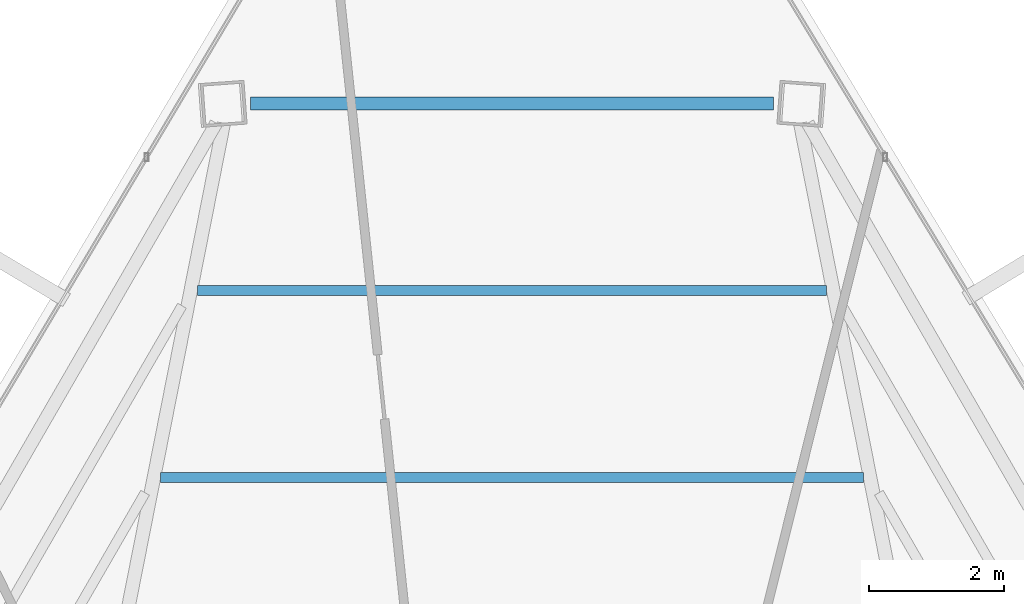
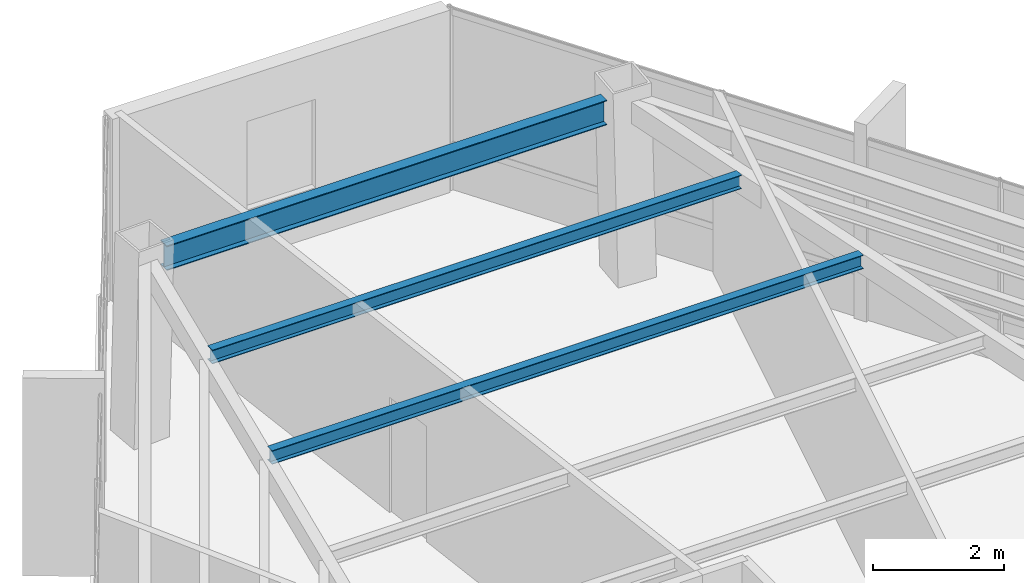
# One storey, part 34 of 46: 3 beams.
"""IFC4 building model written with IfcOpenShell, lengths in metres."""

from ifc_helpers import new_model, si_unit, direction, frame, origin, origin_2d, place, context, subcontext, project, spatial, i_section, extrude, source, transform, mapped, material, material_profile, profile_set, type_object, type_shapes, element, save


model = new_model("IFC4")

# Units and contexts
model_context = context("Model", 3, precision=1e-05, world=origin(), true_north=direction((0.0, 1.0)))
body_context = subcontext(model_context, "Body", "Model", "MODEL_VIEW")
ifc_project = project(units=[si_unit("LENGTHUNIT", "METRE"), si_unit("AREAUNIT", "SQUARE_METRE"), si_unit("VOLUMEUNIT", "CUBIC_METRE"), si_unit("PLANEANGLEUNIT", "RADIAN"), si_unit("MASSUNIT", "GRAM", prefix="KILO")], contexts=[model_context])

# Site, building, storey
site_placement = place(None, origin())
site = spatial("IfcSite", under=ifc_project, at=site_placement, CompositionType="ELEMENT")
building_placement = place(site_placement, origin())
building = spatial("IfcBuilding", under=site, at=building_placement, Name="Caelisora Broadcast Tower", CompositionType="ELEMENT")
storey_placement = place(building_placement, frame((0.0, 0.0, 237.14990234375)))
storey = spatial("IfcBuildingStorey", under=building, at=storey_placement, Name="L62", CompositionType="ELEMENT", Elevation=237.14990234375)

# Beams
ifc_material = material(Name="Steel Grade 350 (AS/NZS 3679.1)", Category="steel")
ifc_material_profile_1 = material_profile(ifc_material, i_section(OverallWidth=0.19091796875, OverallDepth=0.46044921875, WebThickness=0.010009765625, FlangeThickness=0.01611328125, at=origin_2d()), Name="Steel Grade 350 (AS/NZS 3679.1)")
ifc_profile_set_1 = profile_set([ifc_material_profile_1], Name="Steel Grade 350 (AS/NZS 3679.1)")
beam_type_1 = type_object("IfcBeamType", Name="PG06", PredefinedType="BEAM", material=ifc_profile_set_1)
shared_shape_1 = source(origin(), body_context, "Body", "SweptSolid", [
    extrude(i_section(OverallWidth=0.19091796875, OverallDepth=0.46044921875, WebThickness=0.010009765625, FlangeThickness=0.01611328125, at=origin_2d()), origin(), (0.0, 0.0, 1.0), 7.76123046875),
])
type_shapes(beam_type_1, [shared_shape_1])
beam_1_placement = place(storey_placement, frame((41.880615234375, 46.647216796875, 3.169921875), z_axis=(-1.0, 0.0, 0.0), x_axis=(0.0, -1.0, 0.0)))
element("IfcBeam", 1, at=beam_1_placement, inside=storey, type_object=beam_type_1, Name="L62 beam PG06", PredefinedType="BEAM", context=body_context, shape_type="MappedRepresentation", body=[
    mapped(shared_shape_1, transform((0.0, 0.0, 0.0), scale=1.0)),
])
ifc_material_profile_2 = material_profile(ifc_material, i_section(OverallWidth=0.14599609375, OverallDepth=0.256103515625, WebThickness=0.00634765625, FlangeThickness=0.010986328125, at=origin_2d()), Name="Steel Grade 350 (AS/NZS 3679.1)")
ifc_profile_set_2 = profile_set([ifc_material_profile_2], Name="Steel Grade 350 (AS/NZS 3679.1)")
beam_type_2 = type_object("IfcBeamType", Name="SB04", PredefinedType="JOIST", material=ifc_profile_set_2)
shared_shape_2 = source(origin(), body_context, "Body", "SweptSolid", [
    extrude(i_section(OverallWidth=0.14599609375, OverallDepth=0.256103515625, WebThickness=0.00634765625, FlangeThickness=0.010986328125, at=origin_2d()), origin(), (0.0, 0.0, 1.0), 10.4267578125),
])
beam_2_placement = place(storey_placement, frame((43.21337890625, 41.09814453125, 3.27197265625), z_axis=(-1.0, 0.0, 0.0), x_axis=(0.0, -1.0, 0.0)))
element("IfcBeam", 2, at=beam_2_placement, inside=storey, type_object=beam_type_2, Name="L62 beam SB04", PredefinedType="JOIST", context=body_context, shape_type="MappedRepresentation", body=[
    mapped(shared_shape_2, transform((0.0, 0.0, 0.0), scale=1.0)),
])
shared_shape_3 = source(origin(), body_context, "Body", "SweptSolid", [
    extrude(i_section(OverallWidth=0.14599609375, OverallDepth=0.256103515625, WebThickness=0.00634765625, FlangeThickness=0.010986328125, at=origin_2d()), origin(), (0.0, 0.0, 1.0), 9.3330078125),
])
type_shapes(beam_type_2, [shared_shape_2, shared_shape_3])
beam_3_placement = place(storey_placement, frame((42.66650390625, 43.872802734375, 3.27197265625), z_axis=(-1.0, 0.0, 0.0), x_axis=(0.0, -1.0, 0.0)))
element("IfcBeam", 3, at=beam_3_placement, inside=storey, type_object=beam_type_2, Name="L62 beam SB04", PredefinedType="JOIST", context=body_context, shape_type="MappedRepresentation", body=[
    mapped(shared_shape_3, transform((0.0, 0.0, 0.0), scale=1.0)),
])

save(model, "model.ifc")
